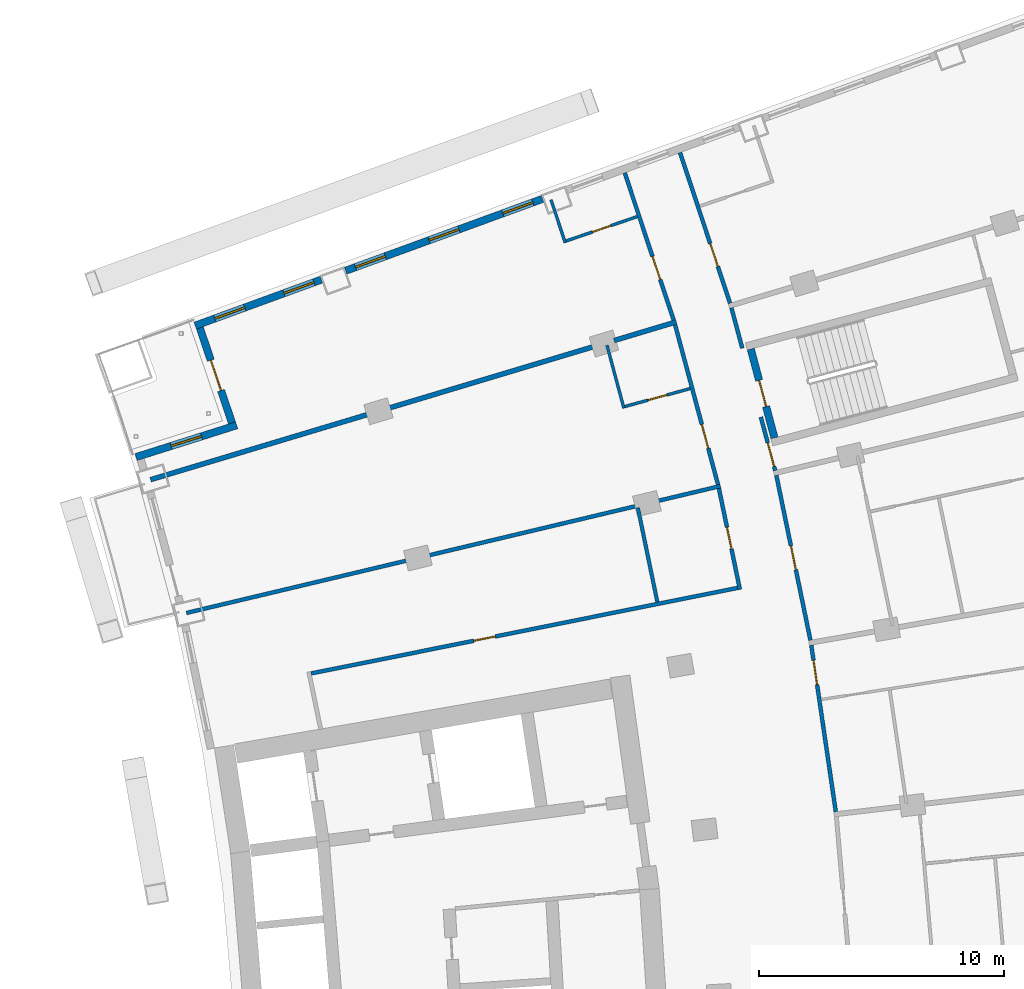
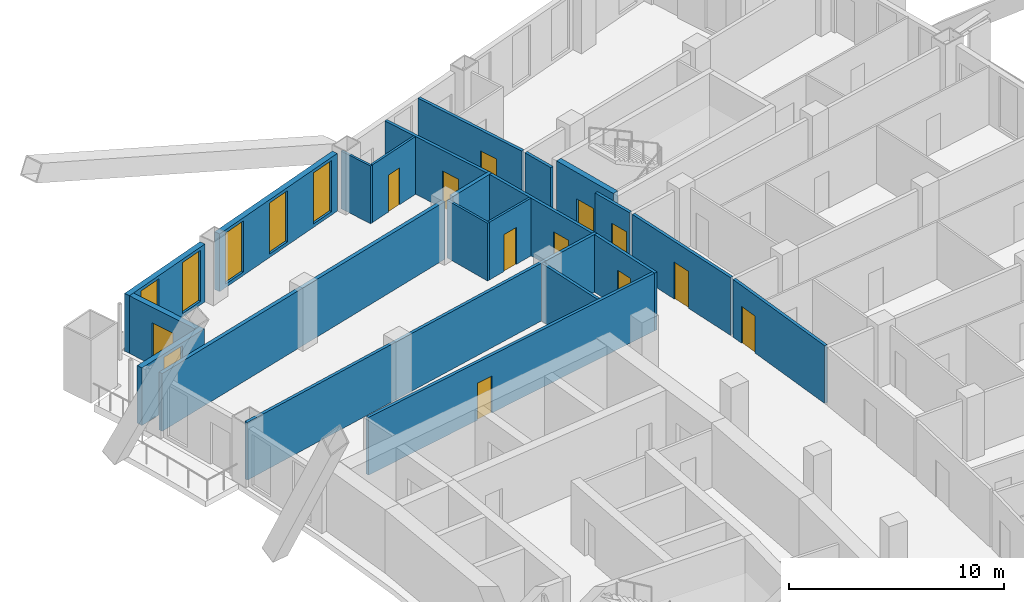
# One storey, part 19 of 25: 22 walls, 12 doors, 6 windows, 18 openings.
"""IFC4 building model written with IfcOpenShell, lengths in metres."""

import ifcopenshell
import ifcopenshell.guid

model = None  # the IFC model being written
_history = None  # IfcOwnerHistory: only IFC2X3 demands one
_inside = {}  # id of a spatial element -> (the spatial element, [elements in it])
_under = {}  # id of a project, library or spatial element -> (it, [spatial elements below it])
_declared = {}  # id of a project -> (the project, [libraries it declares])
_typed = {}  # id of a type object -> (the type object, [elements of that type])
_made_of = {}  # id of a material, layer set ... -> (it, [elements and type objects made of it])


def new_model(schema):
    """Start an empty IFC model of exactly this schema.

    Asked for "IFC4X3", IfcOpenShell would pick the latest addendum, in which some entities
    have other attributes; the version numbers below select the first issue.
    IFC2X3 requires an IfcOwnerHistory on every rooted entity: one is made here for all.
    """
    global model, _history
    if schema == "IFC4X3":
        model = ifcopenshell.file(schema_version=(4, 3, 0, 0))
    else:
        model = ifcopenshell.file(schema=schema)
    _inside.clear()
    _under.clear()
    _declared.clear()
    _typed.clear()
    _made_of.clear()
    _history = None
    if model.schema == "IFC2X3":
        org = make("IfcOrganization", Name="unknown")
        user = make(
            "IfcPersonAndOrganization",
            ThePerson=make("IfcPerson", FamilyName="unknown"),
            TheOrganization=org,
        )
        app = make(
            "IfcApplication",
            ApplicationDeveloper=org,
            Version="unknown",
            ApplicationFullName="unknown",
            ApplicationIdentifier="unknown",
        )
        _history = make(
            "IfcOwnerHistory",
            OwningUser=user,
            OwningApplication=app,
            ChangeAction="ADDED",
            CreationDate=0,
        )
    return model


def make(cls, **values):
    """One entity of the class cls with the attributes given. An attribute that is None is left unset."""
    return model.create_entity(
        cls, **{name: value for name, value in values.items() if value is not None}
    )


def rooted(cls, **values):
    """An entity with a GlobalId (a new one), such as an element, a storey or a relation."""
    return make(cls, GlobalId=ifcopenshell.guid.new(), OwnerHistory=_history, **values)


def si_unit(unit_type, name, prefix=None):
    """IfcSIUnit, for example si_unit("LENGTHUNIT", "METRE", prefix="MILLI")."""
    return make("IfcSIUnit", UnitType=unit_type, Prefix=prefix, Name=name)


def assignment(units):
    """IfcUnitAssignment: the units of a project."""
    return None if units is None else make("IfcUnitAssignment", Units=units)


def point(xyz):
    """IfcCartesianPoint."""
    return None if xyz is None else make("IfcCartesianPoint", Coordinates=xyz)


def direction(xyz):
    """IfcDirection."""
    return None if xyz is None else make("IfcDirection", DirectionRatios=xyz)


def frame(location, z_axis=None, x_axis=None):
    """IfcAxis2Placement3D, a coordinate frame: its origin and axes. An axis left out is left unset."""
    return make(
        "IfcAxis2Placement3D",
        Location=point(location),
        Axis=direction(z_axis),
        RefDirection=direction(x_axis),
    )


def frame_2d(location, x_axis=None):
    """IfcAxis2Placement2D, a coordinate frame in the plane: its origin and x axis."""
    return make(
        "IfcAxis2Placement2D", Location=point(location), RefDirection=direction(x_axis)
    )


def origin():
    """The frame at (0, 0, 0) with its axes left unset."""
    return frame((0.0, 0.0, 0.0))


def place(relative_to, where):
    """IfcLocalPlacement: puts the frame where relative to a parent placement (None: the world)."""
    return make(
        "IfcLocalPlacement", PlacementRelTo=relative_to, RelativePlacement=where
    )


def context(
    kind, dimensions, precision=None, world=None, true_north=None, identifier=None
):
    """IfcGeometricRepresentationContext, for example the 3D "Model" context."""
    return make(
        "IfcGeometricRepresentationContext",
        ContextIdentifier=identifier,
        ContextType=kind,
        CoordinateSpaceDimension=dimensions,
        Precision=precision,
        WorldCoordinateSystem=world,
        TrueNorth=true_north,
    )


def subcontext(parent, identifier, kind, view, scale=None):
    """IfcGeometricRepresentationSubContext, for example "Body" below "Model"."""
    return make(
        "IfcGeometricRepresentationSubContext",
        ContextIdentifier=identifier,
        ContextType=kind,
        ParentContext=parent,
        TargetScale=scale,
        TargetView=view,
    )


def project(units=None, contexts=None):
    """IfcProject with its units and contexts."""
    return rooted(
        "IfcProject",
        Name="project",
        RepresentationContexts=contexts,
        UnitsInContext=assignment(units),
    )


def spatial(cls, under=None, at=None, **own):
    """A site, building, storey or space (cls), placed at a placement, below another one or the project."""
    s = rooted(cls, ObjectPlacement=at, **own)
    if under is not None:
        _under.setdefault(under.id(), (under, []))[1].append(s)
    return s


def profile(cls, at=None, kind="AREA", **sizes):
    """A parametric profile (cls). Its sizes go by their IFC names, for example OverallWidth=200.0."""
    return make(cls, ProfileType=kind, Position=at, **sizes)


def rectangle(**sizes):
    """IfcRectangleProfileDef."""
    return profile("IfcRectangleProfileDef", **sizes)


def extrude(swept, where, along, depth):
    """IfcExtrudedAreaSolid: the profile swept, set in the frame where, extruded along a direction by depth."""
    return make(
        "IfcExtrudedAreaSolid",
        SweptArea=swept,
        Position=where,
        ExtrudedDirection=direction(along),
        Depth=depth,
    )


def shape(context_of_items, identifier, shape_type, items):
    """IfcShapeRepresentation: the items that make up one representation, for example the "Body"."""
    return make(
        "IfcShapeRepresentation",
        ContextOfItems=context_of_items,
        RepresentationIdentifier=identifier,
        RepresentationType=shape_type,
        Items=items,
    )


def material(Name=None, Category=None):
    """IfcMaterial."""
    return make("IfcMaterial", Name=Name, Category=Category)


def layer(
    of_material, thickness, ventilated=None, Name=None, Category=None, Priority=None
):
    """IfcMaterialLayer: one layer of a wall or slab, of a material (None: an air gap)."""
    return make(
        "IfcMaterialLayer",
        Material=of_material,
        LayerThickness=thickness,
        IsVentilated=ventilated,
        Name=Name,
        Category=Category,
        Priority=Priority,
    )


def layer_set(layers, Name=None):
    """IfcMaterialLayerSet."""
    return make("IfcMaterialLayerSet", MaterialLayers=layers, LayerSetName=Name)


def made_of(thing, what):
    """Note that an element or type object is made of a material, layer set ...; save() writes the relation."""
    if what is not None:
        _made_of.setdefault(what.id(), (what, []))[1].append(thing)
    return thing


def type_object(cls, material=None, **own):
    """A type object (cls), such as IfcWallType, which elements share."""
    return made_of(rooted(cls, **own), material)


def element(
    cls,
    number,
    at=None,
    inside=None,
    cuts=None,
    type_object=None,
    material=None,
    context=None,
    identifier="Body",
    shape_type=None,
    held_by="IfcProductDefinitionShape",
    body=None,
    shapes=None,
    **own,
):
    """One element of the class cls, such as IfcWall. Its Tag is "e" and its number.

    at: its placement. inside: the storey or other place that contains it. cuts: it is an
    opening in that element (IfcRelVoidsElement). A single representation is given by context,
    identifier, shape_type and body (its items); several are given by shapes. held_by: the class
    of the entity that holds the representations. save() writes the other relations.
    """
    e = rooted(cls, Tag="e%d" % number, ObjectPlacement=at, **own)
    if body is not None:
        shapes = [shape(context, identifier, shape_type, body)]
    if shapes is not None:
        e.Representation = make(held_by, Representations=shapes)
    if inside is not None:
        _inside.setdefault(inside.id(), (inside, []))[1].append(e)
    if cuts is not None:
        rooted(
            "IfcRelVoidsElement", RelatingBuildingElement=cuts, RelatedOpeningElement=e
        )
    if type_object is not None:
        _typed.setdefault(type_object.id(), (type_object, []))[1].append(e)
    return made_of(e, material)


def fill(opening, filler):
    """IfcRelFillsElement: the door or window that sits in an opening."""
    return rooted(
        "IfcRelFillsElement",
        RelatingOpeningElement=opening,
        RelatedBuildingElement=filler,
    )


def aggregate(whole, parts):
    """IfcRelAggregates: a whole, such as a stair, and the parts it consists of."""
    return rooted("IfcRelAggregates", RelatingObject=whole, RelatedObjects=parts)


def save(model, path):
    """Write the relations noted so far, then the file.

    IfcRelAggregates (storeys below a building ...), IfcRelContainedInSpatialStructure (elements
    in a storey), IfcRelDefinesByType, IfcRelAssociatesMaterial and IfcRelDeclares: one each for
    every whole, place, type object, material and project.
    """
    for whole, parts in _under.values():
        aggregate(whole, parts)
    for where, things in _inside.values():
        rooted(
            "IfcRelContainedInSpatialStructure",
            RelatedElements=things,
            RelatingStructure=where,
        )
    for kind, things in _typed.values():
        rooted("IfcRelDefinesByType", RelatedObjects=things, RelatingType=kind)
    for what, things in _made_of.values():
        rooted("IfcRelAssociatesMaterial", RelatedObjects=things, RelatingMaterial=what)
    for by, libraries in _declared.values():
        rooted("IfcRelDeclares", RelatingContext=by, RelatedDefinitions=libraries)
    model.write(path)


model = new_model("IFC4")

# Units and contexts
model_context = context("Model", 3, precision=1e-05, world=origin(), true_north=direction((0.0, 1.0)))
body_context = subcontext(model_context, "Body", "Model", "MODEL_VIEW")
ifc_project = project(units=[si_unit("LENGTHUNIT", "METRE"), si_unit("AREAUNIT", "SQUARE_METRE"), si_unit("VOLUMEUNIT", "CUBIC_METRE"), si_unit("PLANEANGLEUNIT", "RADIAN"), si_unit("MASSUNIT", "GRAM", prefix="KILO")], contexts=[model_context])

# Site, building, storey
site_placement = place(None, origin())
site = spatial("IfcSite", under=ifc_project, at=site_placement, CompositionType="ELEMENT")
building_placement = place(site_placement, origin())
building = spatial("IfcBuilding", under=site, at=building_placement, Name="Alderwake Tower", CompositionType="ELEMENT")
storey_placement = place(building_placement, frame((0.0, 0.0, 93.199951171875)))
storey = spatial("IfcBuildingStorey", under=building, at=storey_placement, Name="L22", CompositionType="ELEMENT", Elevation=93.199951171875)

# Wall, opening, door
ifc_material_1 = material(Name="Concrete C70/85", Category="concrete")
ifc_layer_1 = layer(ifc_material_1, 0.300048828125)
ifc_layer_set_1 = layer_set([ifc_layer_1], Name="Core wall stair enclosure 300 C70-85")
wall_type_1 = type_object("IfcWallType", Name="Core wall stair enclosure 300 C70-85", PredefinedType="SHEAR", material=ifc_layer_set_1)
wall_1_placement = place(storey_placement, frame((37.8603515625, 90.452392578125, 0.0), z_axis=(0.0, 0.0, 1.0), x_axis=(-0.257411420208, 0.966301899381, 0.0)))
wall_1 = element("IfcWall", 1, at=wall_1_placement, inside=storey, type_object=wall_type_1, Name="Core wall CW.083", PredefinedType="SHEAR", context=body_context, shape_type="SweptSolid", body=[
    extrude(rectangle(XDim=3.750244140625, YDim=0.300048828125, at=frame_2d((1.875, 0.0))), origin(), (0.0, 0.0, 1.0), 3.60009765625),
])
opening_1_placement = place(wall_1_placement, frame((1.324951171875, 0.0, 0.0)))
opening_1 = element("IfcOpeningElement", 2, at=opening_1_placement, cuts=wall_1, Name="Opening C062", PredefinedType="OPENING", context=body_context, shape_type="SweptSolid", body=[
    extrude(rectangle(XDim=1.10009765625, YDim=2.10009765625, at=frame_2d((0.550048828125, 1.050048828125))), frame((0.0, 0.159912109375, 0.0), z_axis=(0.0, -1.0, 0.0), x_axis=(1.0, 0.0, 0.0)), (0.0, 0.0, 1.0), 0.320068359375),
])
ifc_material_2 = material(Name="Steel-framed fire door leaf", Category="steel")
door_type_1 = type_object("IfcDoorType", Name="Core stair door 1100 fire-rated", OperationType="SINGLE_SWING_LEFT", PredefinedType="DOOR", material=ifc_material_2)
door_1_placement = place(opening_1_placement, origin())
door_1 = element("IfcDoor", 3, at=door_1_placement, inside=storey, type_object=door_type_1, Name="Stair door", OperationType="SINGLE_SWING_RIGHT", OverallHeight=2.10009765625, OverallWidth=1.10009765625, PredefinedType="DOOR", context=body_context, shape_type="SweptSolid", body=[
    extrude(rectangle(XDim=1.10009765625, YDim=2.10009765625, at=frame_2d((0.550048828125, 1.050048828125))), frame((0.0, 0.02490234375, 0.0), z_axis=(0.0, -1.0, 0.0), x_axis=(1.0, 0.0, 0.0)), (0.0, 0.0, 1.0), 0.050048828125),
])
fill(opening_1, door_1)

# Wall
ifc_material_3 = material(Name="Gypsum board on metal studs, rated")
ifc_layer_2 = layer(ifc_material_3, 0.159912109375)
ifc_layer_set_2 = layer_set([ifc_layer_2], Name="Corridor wall 160")
wall_type_2 = type_object("IfcWallType", Name="Corridor wall 160", PredefinedType="PARTITIONING", material=ifc_layer_set_2)
wall_2_placement = place(storey_placement, frame((13.884033203125, 83.31298828125, 0.0), z_axis=(0.0, 0.0, 1.0), x_axis=(0.972893462073, 0.231253781493, 0.0)))
element("IfcWall", 4, at=wall_2_placement, inside=storey, type_object=wall_type_2, Name="WL/L22/W19", PredefinedType="PARTITIONING", context=body_context, shape_type="SweptSolid", body=[
    extrude(rectangle(XDim=22.38037109375, YDim=0.159912109375, at=frame_2d((11.190185546875, 0.0))), origin(), (0.0, 0.0, 1.0), 3.280029296875),
])

# Wall, opening, door
wall_3_placement = place(storey_placement, frame((33.75146484375, 95.2548828125, 0.0), z_axis=(0.0, 0.0, 1.0), x_axis=(-0.315406156735, 0.948956772616, 0.0)))
wall_3 = element("IfcWall", 5, at=wall_3_placement, inside=storey, type_object=wall_type_2, Name="WL/L22/W23", PredefinedType="PARTITIONING", context=body_context, shape_type="SweptSolid", body=[
    extrude(rectangle(XDim=6.330078125, YDim=0.159912109375, at=frame_2d((3.1650390625, 0.0))), origin(), (0.0, 0.0, 1.0), 3.280029296875),
])
opening_2_placement = place(wall_3_placement, frame((1.737060546875, 0.0, 0.0)))
opening_2 = element("IfcOpeningElement", 6, at=opening_2_placement, cuts=wall_3, Name="Opening R06-U15.1", PredefinedType="OPENING", context=body_context, shape_type="SweptSolid", body=[
    extrude(rectangle(XDim=1.0, YDim=2.10009765625, at=frame_2d((0.5, 1.050048828125))), frame((0.0, 0.08984375, 0.0), z_axis=(0.0, -1.0, 0.0), x_axis=(1.0, 0.0, 0.0)), (0.0, 0.0, 1.0), 0.179931640625),
])
ifc_material_4 = material(Name="Solid timber leaf in steel frame", Category="steel")
door_type_2 = type_object("IfcDoorType", Name="Flat entrance door 1000 fire-rated", OperationType="SINGLE_SWING_LEFT", PredefinedType="DOOR", material=ifc_material_4)
door_2_placement = place(opening_2_placement, origin())
door_2 = element("IfcDoor", 7, at=door_2_placement, inside=storey, type_object=door_type_2, Name="DR/L22/U15.1", OperationType="SINGLE_SWING_LEFT", OverallHeight=2.10009765625, OverallWidth=1.0, PredefinedType="DOOR", context=body_context, shape_type="SweptSolid", body=[
    extrude(rectangle(XDim=1.0, YDim=2.10009765625, at=frame_2d((0.5, 1.050048828125))), frame((0.0, 0.02490234375, 0.0), z_axis=(0.0, -1.0, 0.0), x_axis=(1.0, 0.0, 0.0)), (0.0, 0.0, 1.0), 0.050048828125),
])
fill(opening_2, door_2)

wall_4_placement = place(storey_placement, frame((35.55908203125, 88.54736328125, 0.0), z_axis=(0.0, 0.0, 1.0), x_axis=(-0.259373900693, 0.965776982351, 0.0)))
wall_4 = element("IfcWall", 8, at=wall_4_placement, inside=storey, type_object=wall_type_2, Name="WL/L22/W26", PredefinedType="PARTITIONING", context=body_context, shape_type="SweptSolid", body=[
    extrude(rectangle(XDim=6.7470703125, YDim=0.159912109375, at=frame_2d((3.37353515625, 0.0))), origin(), (0.0, 0.0, 1.0), 3.280029296875),
])
opening_3_placement = place(wall_4_placement, frame((1.5380859375, 0.0, 0.0)))
opening_3 = element("IfcOpeningElement", 9, at=opening_3_placement, cuts=wall_4, Name="Opening R06-U14.1", PredefinedType="OPENING", context=body_context, shape_type="SweptSolid", body=[
    extrude(rectangle(XDim=1.0, YDim=2.10009765625, at=frame_2d((0.5, 1.050048828125))), frame((0.0, 0.08984375, 0.0), z_axis=(0.0, -1.0, 0.0), x_axis=(1.0, 0.0, 0.0)), (0.0, 0.0, 1.0), 0.179931640625),
])
door_3_placement = place(opening_3_placement, origin())
door_3 = element("IfcDoor", 10, at=door_3_placement, inside=storey, type_object=door_type_2, Name="DR/L22/U14.1", OperationType="SINGLE_SWING_LEFT", OverallHeight=2.10009765625, OverallWidth=1.0, PredefinedType="DOOR", context=body_context, shape_type="SweptSolid", body=[
    extrude(rectangle(XDim=1.0, YDim=2.10009765625, at=frame_2d((0.5, 1.050048828125))), frame((0.0, 0.02490234375, 0.0), z_axis=(0.0, -1.0, 0.0), x_axis=(1.0, 0.0, 0.0)), (0.0, 0.0, 1.0), 0.050048828125),
])
fill(opening_3, door_3)

wall_5_placement = place(storey_placement, frame((36.451416015625, 84.272705078125, 0.0), z_axis=(0.0, 0.0, 1.0), x_axis=(-0.20329833965, 0.979116839348, 0.0)))
wall_5 = element("IfcWall", 11, at=wall_5_placement, inside=storey, type_object=wall_type_2, Name="WL/L22/W28", PredefinedType="PARTITIONING", context=body_context, shape_type="SweptSolid", body=[
    extrude(rectangle(XDim=4.206787109375, YDim=0.159912109375, at=frame_2d((2.103515625, 0.0))), origin(), (0.0, 0.0, 1.0), 3.280029296875),
])
opening_4_placement = place(wall_5_placement, frame((1.69287109375, 0.0, 0.0)))
opening_4 = element("IfcOpeningElement", 12, at=opening_4_placement, cuts=wall_5, Name="Opening R06-SBN2", PredefinedType="OPENING", context=body_context, shape_type="SweptSolid", body=[
    extrude(rectangle(XDim=0.89990234375, YDim=2.10009765625, at=frame_2d((0.449951171875, 1.050048828125))), frame((0.0, 0.08984375, 0.0), z_axis=(0.0, -1.0, 0.0), x_axis=(1.0, 0.0, 0.0)), (0.0, 0.0, 1.0), 0.179931640625),
])
ifc_material_5 = material(Name="Painted timber leaf", Category="wood")
door_type_3 = type_object("IfcDoorType", Name="Room door 900", OperationType="SINGLE_SWING_LEFT", PredefinedType="DOOR", material=ifc_material_5)
door_4_placement = place(opening_4_placement, origin())
door_4 = element("IfcDoor", 13, at=door_4_placement, inside=storey, type_object=door_type_3, Name="DR/L22/SBN2", OperationType="SINGLE_SWING_LEFT", OverallHeight=2.10009765625, OverallWidth=0.89990234375, PredefinedType="DOOR", context=body_context, shape_type="SweptSolid", body=[
    extrude(rectangle(XDim=0.89990234375, YDim=2.10009765625, at=frame_2d((0.449951171875, 1.050048828125))), frame((0.0, 0.02490234375, 0.0), z_axis=(0.0, -1.0, 0.0), x_axis=(1.0, 0.0, 0.0)), (0.0, 0.0, 1.0), 0.050048828125),
])
fill(opening_4, door_4)

wall_6_placement = place(storey_placement, frame((34.010986328125, 102.083984375, 0.0), z_axis=(0.0, 0.0, 1.0), x_axis=(0.315140606423, -0.949044992708, 0.0)))
wall_6 = element("IfcWall", 14, at=wall_6_placement, inside=storey, type_object=wall_type_2, Name="WL/L22/W30", PredefinedType="PARTITIONING", context=body_context, shape_type="SweptSolid", body=[
    extrude(rectangle(XDim=6.46875, YDim=0.159912109375, at=frame_2d((3.234375, 0.0))), origin(), (0.0, 0.0, 1.0), 3.280029296875),
])
opening_5_placement = place(wall_6_placement, frame((3.897705078125, 0.0, 0.0)))
opening_5 = element("IfcOpeningElement", 15, at=opening_5_placement, cuts=wall_6, Name="Opening R06-U04.1", PredefinedType="OPENING", context=body_context, shape_type="SweptSolid", body=[
    extrude(rectangle(XDim=1.0, YDim=2.10009765625, at=frame_2d((0.5, 1.050048828125))), frame((0.0, 0.08984375, 0.0), z_axis=(0.0, -1.0, 0.0), x_axis=(1.0, 0.0, 0.0)), (0.0, 0.0, 1.0), 0.179931640625),
])
door_5_placement = place(opening_5_placement, origin())
door_5 = element("IfcDoor", 16, at=door_5_placement, inside=storey, type_object=door_type_2, Name="DR/L22/U04.1", OperationType="SINGLE_SWING_LEFT", OverallHeight=2.10009765625, OverallWidth=1.0, PredefinedType="DOOR", context=body_context, shape_type="SweptSolid", body=[
    extrude(rectangle(XDim=1.0, YDim=2.10009765625, at=frame_2d((0.5, 1.050048828125))), frame((0.0, 0.02490234375, 0.0), z_axis=(0.0, -1.0, 0.0), x_axis=(1.0, 0.0, 0.0)), (0.0, 0.0, 1.0), 0.050048828125),
])
fill(opening_5, door_5)

wall_7_placement = place(storey_placement, frame((18.969482421875, 80.84765625, 0.0), z_axis=(0.0, 0.0, 1.0), x_axis=(0.980470914622, 0.196664144112, 0.0)))
wall_7 = element("IfcWall", 17, at=wall_7_placement, inside=storey, type_object=wall_type_2, Name="WL/L22/W32", PredefinedType="PARTITIONING", context=body_context, shape_type="SweptSolid", body=[
    extrude(rectangle(XDim=17.733642578125, YDim=0.159912109375, at=frame_2d((8.86669921875, 0.0))), origin(), (0.0, 0.0, 1.0), 3.280029296875),
])
opening_6_placement = place(wall_7_placement, frame((6.756591796875, 0.0, 0.0)))
opening_6 = element("IfcOpeningElement", 18, at=opening_6_placement, cuts=wall_7, Name="Opening R06-SBN1", PredefinedType="OPENING", context=body_context, shape_type="SweptSolid", body=[
    extrude(rectangle(XDim=0.89990234375, YDim=2.10009765625, at=frame_2d((0.449951171875, 1.050048828125))), frame((0.0, 0.08984375, 0.0), z_axis=(0.0, -1.0, 0.0), x_axis=(1.0, 0.0, 0.0)), (0.0, 0.0, 1.0), 0.179931640625),
])
door_6_placement = place(opening_6_placement, origin())
door_6 = element("IfcDoor", 19, at=door_6_placement, inside=storey, type_object=door_type_3, Name="DR/L22/SBN1", OperationType="SINGLE_SWING_LEFT", OverallHeight=2.10009765625, OverallWidth=0.89990234375, PredefinedType="DOOR", context=body_context, shape_type="SweptSolid", body=[
    extrude(rectangle(XDim=0.89990234375, YDim=2.10009765625, at=frame_2d((0.449951171875, 1.050048828125))), frame((0.0, 0.02490234375, 0.0), z_axis=(0.0, -1.0, 0.0), x_axis=(1.0, 0.0, 0.0)), (0.0, 0.0, 1.0), 0.050048828125),
])
fill(opening_6, door_6)

# Wall
wall_8_placement = place(storey_placement, frame((36.549072265625, 94.110107421875, 0.0), z_axis=(0.0, 0.0, 1.0), x_axis=(-0.259813977097, 0.965658685719, 0.0)))
element("IfcWall", 20, at=wall_8_placement, inside=storey, type_object=wall_type_2, Name="WL/L22/W33", PredefinedType="PARTITIONING", context=body_context, shape_type="SweptSolid", body=[
    extrude(rectangle(XDim=1.70166015625, YDim=0.159912109375, at=frame_2d((0.850830078125, 0.0))), origin(), (0.0, 0.0, 1.0), 3.280029296875),
])

# Wall, opening, door
wall_9_placement = place(storey_placement, frame((37.304931640625, 91.299072265625, 0.0), z_axis=(0.0, 0.0, 1.0), x_axis=(0.259946294884, -0.965623075416, 0.0)))
wall_9 = element("IfcWall", 21, at=wall_9_placement, inside=storey, type_object=wall_type_2, Name="WL/L22/W36", PredefinedType="PARTITIONING", context=body_context, shape_type="SweptSolid", body=[
    extrude(rectangle(XDim=2.255126953125, YDim=0.159912109375, at=frame_2d((1.12744140625, 0.0))), origin(), (0.0, 0.0, 1.0), 3.280029296875),
])
opening_7_placement = place(wall_9_placement, frame((1.083984375, 0.0, 0.0)))
opening_7 = element("IfcOpeningElement", 22, at=opening_7_placement, cuts=wall_9, Name="Opening R06-U02.1", PredefinedType="OPENING", context=body_context, shape_type="SweptSolid", body=[
    extrude(rectangle(XDim=1.0, YDim=2.10009765625, at=frame_2d((0.5, 1.050048828125))), frame((0.0, 0.08984375, 0.0), z_axis=(0.0, -1.0, 0.0), x_axis=(1.0, 0.0, 0.0)), (0.0, 0.0, 1.0), 0.179931640625),
])
door_7_placement = place(opening_7_placement, origin())
door_7 = element("IfcDoor", 23, at=door_7_placement, inside=storey, type_object=door_type_2, Name="DR/L22/U02.1", OperationType="SINGLE_SWING_LEFT", OverallHeight=2.10009765625, OverallWidth=1.0, PredefinedType="DOOR", context=body_context, shape_type="SweptSolid", body=[
    extrude(rectangle(XDim=1.0, YDim=2.10009765625, at=frame_2d((0.5, 1.050048828125))), frame((0.0, 0.02490234375, 0.0), z_axis=(0.0, -1.0, 0.0), x_axis=(1.0, 0.0, 0.0)), (0.0, 0.0, 1.0), 0.050048828125),
])
fill(opening_7, door_7)

wall_10_placement = place(storey_placement, frame((37.937255859375, 88.927001953125, 0.0), z_axis=(0.0, 0.0, 1.0), x_axis=(0.20241288737, -0.979300272147, 0.0)))
wall_10 = element("IfcWall", 24, at=wall_10_placement, inside=storey, type_object=wall_type_2, Name="WL/L22/W38", PredefinedType="PARTITIONING", context=body_context, shape_type="SweptSolid", body=[
    extrude(rectangle(XDim=6.870361328125, YDim=0.159912109375, at=frame_2d((3.43505859375, 0.0))), origin(), (0.0, 0.0, 1.0), 3.280029296875),
])
opening_8_placement = place(wall_10_placement, frame((2.93505859375, 0.0, 0.0)))
opening_8 = element("IfcOpeningElement", 25, at=opening_8_placement, cuts=wall_10, Name="Opening R06-U11.2", PredefinedType="OPENING", context=body_context, shape_type="SweptSolid", body=[
    extrude(rectangle(XDim=1.0, YDim=2.10009765625, at=frame_2d((0.5, 1.050048828125))), frame((0.0, 0.08984375, 0.0), z_axis=(0.0, -1.0, 0.0), x_axis=(1.0, 0.0, 0.0)), (0.0, 0.0, 1.0), 0.179931640625),
])
door_8_placement = place(opening_8_placement, origin())
door_8 = element("IfcDoor", 26, at=door_8_placement, inside=storey, type_object=door_type_2, Name="DR/L22/U11.2", OperationType="SINGLE_SWING_LEFT", OverallHeight=2.10009765625, OverallWidth=1.0, PredefinedType="DOOR", context=body_context, shape_type="SweptSolid", body=[
    extrude(rectangle(XDim=1.0, YDim=2.10009765625, at=frame_2d((0.5, 1.050048828125))), frame((0.0, 0.02490234375, 0.0), z_axis=(0.0, -1.0, 0.0), x_axis=(1.0, 0.0, 0.0)), (0.0, 0.0, 1.0), 0.050048828125),
])
fill(opening_8, door_8)

wall_11_placement = place(storey_placement, frame((39.362548828125, 82.001953125, 0.0), z_axis=(0.0, 0.0, 1.0), x_axis=(0.145565626222, -0.98934859805, 0.0)))
wall_11 = element("IfcWall", 27, at=wall_11_placement, inside=storey, type_object=wall_type_2, Name="WL/L22/W39", PredefinedType="PARTITIONING", context=body_context, shape_type="SweptSolid", body=[
    extrude(rectangle(XDim=6.8681640625, YDim=0.159912109375, at=frame_2d((3.43408203125, 0.0))), origin(), (0.0, 0.0, 1.0), 3.280029296875),
])
opening_9_placement = place(wall_11_placement, frame((0.627685546875, 0.0, 0.0)))
opening_9 = element("IfcOpeningElement", 28, at=opening_9_placement, cuts=wall_11, Name="Opening R06-U10.2", PredefinedType="OPENING", context=body_context, shape_type="SweptSolid", body=[
    extrude(rectangle(XDim=1.0, YDim=2.10009765625, at=frame_2d((0.5, 1.050048828125))), frame((0.0, 0.08984375, 0.0), z_axis=(0.0, -1.0, 0.0), x_axis=(1.0, 0.0, 0.0)), (0.0, 0.0, 1.0), 0.179931640625),
])
door_9_placement = place(opening_9_placement, origin())
door_9 = element("IfcDoor", 29, at=door_9_placement, inside=storey, type_object=door_type_2, Name="DR/L22/U10.2", OperationType="SINGLE_SWING_LEFT", OverallHeight=2.10009765625, OverallWidth=1.0, PredefinedType="DOOR", context=body_context, shape_type="SweptSolid", body=[
    extrude(rectangle(XDim=1.0, YDim=2.10009765625, at=frame_2d((0.5, 1.050048828125))), frame((0.0, 0.02490234375, 0.0), z_axis=(0.0, -1.0, 0.0), x_axis=(1.0, 0.0, 0.0)), (0.0, 0.0, 1.0), 0.050048828125),
])
fill(opening_9, door_9)

# Wall, openings, windows
ifc_material_6 = material(Name="Bronze metal cladding on lightweight framing")
ifc_layer_3 = layer(ifc_material_6, 0.300048828125)
ifc_layer_set_3 = layer_set([ifc_layer_3], Name="External wall EW2 bronze metal cladding")
wall_type_3 = type_object("IfcWallType", Name="External wall EW2 bronze metal cladding", PredefinedType="SOLIDWALL", material=ifc_layer_set_3)
wall_12_placement = place(storey_placement, frame((28.402587890625, 100.197509765625, 0.0), z_axis=(0.0, 0.0, 1.0), x_axis=(-0.939364770023, -0.342919566137, 0.0)))
wall_12 = element("IfcWall", 30, at=wall_12_placement, inside=storey, type_object=wall_type_3, Name="External wall 28", PredefinedType="SOLIDWALL", context=body_context, shape_type="SweptSolid", body=[
    extrude(rectangle(XDim=8.54541015625, YDim=0.300048828125, at=frame_2d((4.272705078125, 0.0))), origin(), (0.0, 0.0, 1.0), 3.280029296875),
])
opening_10_placement = place(wall_12_placement, frame((0.4228515625, 0.0, 0.199951171875)))
opening_10 = element("IfcOpeningElement", 31, at=opening_10_placement, cuts=wall_12, Name="Opening W1", PredefinedType="OPENING", context=body_context, shape_type="SweptSolid", body=[
    extrude(rectangle(XDim=1.300048828125, YDim=2.89990234375, at=frame_2d((0.64990234375, 1.449951171875))), frame((0.0, 0.159912109375, 0.0), z_axis=(0.0, -1.0, 0.0), x_axis=(1.0, 0.0, 0.0)), (0.0, 0.0, 1.0), 0.320068359375),
])
opening_11_placement = place(wall_12_placement, frame((3.622802734375, 0.0, 0.199951171875)))
opening_11 = element("IfcOpeningElement", 32, at=opening_11_placement, cuts=wall_12, Name="Opening W1", PredefinedType="OPENING", context=body_context, shape_type="SweptSolid", body=[
    extrude(rectangle(XDim=1.300048828125, YDim=2.89990234375, at=frame_2d((0.64990234375, 1.449951171875))), frame((0.0, 0.159912109375, 0.0), z_axis=(0.0, -1.0, 0.0), x_axis=(1.0, 0.0, 0.0)), (0.0, 0.0, 1.0), 0.320068359375),
])
opening_12_placement = place(wall_12_placement, frame((6.822998046875, 0.0, 0.199951171875)))
opening_12 = element("IfcOpeningElement", 33, at=opening_12_placement, cuts=wall_12, Name="Opening W1", PredefinedType="OPENING", context=body_context, shape_type="SweptSolid", body=[
    extrude(rectangle(XDim=1.300048828125, YDim=2.89990234375, at=frame_2d((0.64990234375, 1.449951171875))), frame((0.0, 0.159912109375, 0.0), z_axis=(0.0, -1.0, 0.0), x_axis=(1.0, 0.0, 0.0)), (0.0, 0.0, 1.0), 0.320068359375),
])
ifc_material_7 = material(Name="Bronze tinted glass in aluminium frame", Category="aluminium")
window_type = type_object("IfcWindowType", Name="Window W1 tall fixed and vent", PartitioningType="DOUBLE_PANEL_VERTICAL", PredefinedType="WINDOW", material=ifc_material_7)
window_1_placement = place(opening_10_placement, origin())
window_1 = element("IfcWindow", 34, at=window_1_placement, inside=storey, type_object=window_type, Name="Window W1 tall fixed and vent", OverallHeight=2.89990234375, OverallWidth=1.300048828125, PartitioningType="DOUBLE_PANEL_VERTICAL", PredefinedType="WINDOW", context=body_context, shape_type="SweptSolid", body=[
    extrude(rectangle(XDim=1.300048828125, YDim=2.89990234375, at=frame_2d((0.64990234375, 1.449951171875))), frame((0.0, 0.030029296875, 0.0), z_axis=(0.0, -1.0, 0.0), x_axis=(1.0, 0.0, 0.0)), (0.0, 0.0, 1.0), 0.06005859375),
])
fill(opening_10, window_1)
window_2_placement = place(opening_11_placement, origin())
window_2 = element("IfcWindow", 35, at=window_2_placement, inside=storey, type_object=window_type, Name="Window W1 tall fixed and vent", OverallHeight=2.89990234375, OverallWidth=1.300048828125, PartitioningType="DOUBLE_PANEL_VERTICAL", PredefinedType="WINDOW", context=body_context, shape_type="SweptSolid", body=[
    extrude(rectangle(XDim=1.300048828125, YDim=2.89990234375, at=frame_2d((0.64990234375, 1.449951171875))), frame((0.0, 0.030029296875, 0.0), z_axis=(0.0, -1.0, 0.0), x_axis=(1.0, 0.0, 0.0)), (0.0, 0.0, 1.0), 0.06005859375),
])
fill(opening_11, window_2)
window_3_placement = place(opening_12_placement, origin())
window_3 = element("IfcWindow", 36, at=window_3_placement, inside=storey, type_object=window_type, Name="Window W1 tall fixed and vent", OverallHeight=2.89990234375, OverallWidth=1.300048828125, PartitioningType="DOUBLE_PANEL_VERTICAL", PredefinedType="WINDOW", context=body_context, shape_type="SweptSolid", body=[
    extrude(rectangle(XDim=1.300048828125, YDim=2.89990234375, at=frame_2d((0.64990234375, 1.449951171875))), frame((0.0, 0.030029296875, 0.0), z_axis=(0.0, -1.0, 0.0), x_axis=(1.0, 0.0, 0.0)), (0.0, 0.0, 1.0), 0.06005859375),
])
fill(opening_12, window_3)

wall_13_placement = place(storey_placement, frame((19.38427734375, 96.905517578125, 0.0), z_axis=(0.0, 0.0, 1.0), x_axis=(-0.939366897407, -0.342913738506, 0.0)))
wall_13 = element("IfcWall", 37, at=wall_13_placement, inside=storey, type_object=wall_type_3, Name="External wall 29", PredefinedType="SOLIDWALL", context=body_context, shape_type="SweptSolid", body=[
    extrude(rectangle(XDim=5.474365234375, YDim=0.300048828125, at=frame_2d((2.7373046875, 0.0))), origin(), (0.0, 0.0, 1.0), 3.280029296875),
])
opening_13_placement = place(wall_13_placement, frame((0.322998046875, 0.0, 0.199951171875)))
opening_13 = element("IfcOpeningElement", 38, at=opening_13_placement, cuts=wall_13, Name="Opening W1", PredefinedType="OPENING", context=body_context, shape_type="SweptSolid", body=[
    extrude(rectangle(XDim=1.300048828125, YDim=2.89990234375, at=frame_2d((0.64990234375, 1.449951171875))), frame((0.0, 0.159912109375, 0.0), z_axis=(0.0, -1.0, 0.0), x_axis=(1.0, 0.0, 0.0)), (0.0, 0.0, 1.0), 0.320068359375),
])
opening_14_placement = place(wall_13_placement, frame((3.32373046875, 0.0, 0.199951171875)))
opening_14 = element("IfcOpeningElement", 39, at=opening_14_placement, cuts=wall_13, Name="Opening W1", PredefinedType="OPENING", context=body_context, shape_type="SweptSolid", body=[
    extrude(rectangle(XDim=1.300048828125, YDim=2.89990234375, at=frame_2d((0.64990234375, 1.449951171875))), frame((0.0, 0.159912109375, 0.0), z_axis=(0.0, -1.0, 0.0), x_axis=(1.0, 0.0, 0.0)), (0.0, 0.0, 1.0), 0.320068359375),
])
window_4_placement = place(opening_13_placement, origin())
window_4 = element("IfcWindow", 40, at=window_4_placement, inside=storey, type_object=window_type, Name="Window W1 tall fixed and vent", OverallHeight=2.89990234375, OverallWidth=1.300048828125, PartitioningType="DOUBLE_PANEL_VERTICAL", PredefinedType="WINDOW", context=body_context, shape_type="SweptSolid", body=[
    extrude(rectangle(XDim=1.300048828125, YDim=2.89990234375, at=frame_2d((0.64990234375, 1.449951171875))), frame((0.0, 0.030029296875, 0.0), z_axis=(0.0, -1.0, 0.0), x_axis=(1.0, 0.0, 0.0)), (0.0, 0.0, 1.0), 0.06005859375),
])
fill(opening_13, window_4)
window_5_placement = place(opening_14_placement, origin())
window_5 = element("IfcWindow", 41, at=window_5_placement, inside=storey, type_object=window_type, Name="Window W1 tall fixed and vent", OverallHeight=2.89990234375, OverallWidth=1.300048828125, PartitioningType="DOUBLE_PANEL_VERTICAL", PredefinedType="WINDOW", context=body_context, shape_type="SweptSolid", body=[
    extrude(rectangle(XDim=1.300048828125, YDim=2.89990234375, at=frame_2d((0.64990234375, 1.449951171875))), frame((0.0, 0.030029296875, 0.0), z_axis=(0.0, -1.0, 0.0), x_axis=(1.0, 0.0, 0.0)), (0.0, 0.0, 1.0), 0.06005859375),
])
fill(opening_14, window_5)

# Wall, opening, door
wall_14_placement = place(storey_placement, frame((14.430908203125, 94.937744140625, 0.0), z_axis=(0.0, 0.0, 1.0), x_axis=(0.320379458656, -0.947289291859, 0.0)))
wall_14 = element("IfcWall", 42, at=wall_14_placement, inside=storey, type_object=wall_type_3, Name="External wall 30", PredefinedType="SOLIDWALL", context=body_context, shape_type="SweptSolid", body=[
    extrude(rectangle(XDim=4.08984375, YDim=0.300048828125, at=frame_2d((2.044921875, 0.0))), origin(), (0.0, 0.0, 1.0), 3.280029296875),
])
opening_15_placement = place(wall_14_placement, frame((1.39501953125, 0.0, 0.0)))
opening_15 = element("IfcOpeningElement", 43, at=opening_15_placement, cuts=wall_14, Name="Opening D13", PredefinedType="OPENING", context=body_context, shape_type="SweptSolid", body=[
    extrude(rectangle(XDim=1.300048828125, YDim=2.39990234375, at=frame_2d((0.64990234375, 1.199951171875))), frame((0.0, 0.159912109375, 0.0), z_axis=(0.0, -1.0, 0.0), x_axis=(1.0, 0.0, 0.0)), (0.0, 0.0, 1.0), 0.320068359375),
])
ifc_material_8 = material(Name="Bronze tinted glass in aluminium frame", Category="aluminium")
door_type_4 = type_object("IfcDoorType", Name="Balcony door BD sliding", OperationType="SLIDING_TO_LEFT", PredefinedType="DOOR", material=ifc_material_8)
door_10_placement = place(opening_15_placement, origin())
door_10 = element("IfcDoor", 44, at=door_10_placement, inside=storey, type_object=door_type_4, Name="Door D13", OperationType="SLIDING_TO_LEFT", OverallHeight=2.39990234375, OverallWidth=1.300048828125, PredefinedType="DOOR", context=body_context, shape_type="SweptSolid", body=[
    extrude(rectangle(XDim=1.300048828125, YDim=2.39990234375, at=frame_2d((0.64990234375, 1.199951171875))), frame((0.0, 0.02490234375, 0.0), z_axis=(0.0, -1.0, 0.0), x_axis=(1.0, 0.0, 0.0)), (0.0, 0.0, 1.0), 0.050048828125),
])
fill(opening_15, door_10)

# Wall, opening, window
wall_15_placement = place(storey_placement, frame((15.932373046875, 90.966552734375, 0.0), z_axis=(0.0, 0.0, 1.0), x_axis=(-0.953473772386, -0.301475978103, 0.0)))
wall_15 = element("IfcWall", 45, at=wall_15_placement, inside=storey, type_object=wall_type_3, Name="External wall 31", PredefinedType="SOLIDWALL", context=body_context, shape_type="SweptSolid", body=[
    extrude(rectangle(XDim=4.305908203125, YDim=0.300048828125, at=frame_2d((2.15283203125, 0.0))), origin(), (0.0, 0.0, 1.0), 3.280029296875),
])
opening_16_placement = place(wall_15_placement, frame((1.5029296875, 0.0, 0.199951171875)))
opening_16 = element("IfcOpeningElement", 46, at=opening_16_placement, cuts=wall_15, Name="Opening W1", PredefinedType="OPENING", context=body_context, shape_type="SweptSolid", body=[
    extrude(rectangle(XDim=1.300048828125, YDim=2.89990234375, at=frame_2d((0.64990234375, 1.449951171875))), frame((0.0, 0.159912109375, 0.0), z_axis=(0.0, -1.0, 0.0), x_axis=(1.0, 0.0, 0.0)), (0.0, 0.0, 1.0), 0.320068359375),
])
window_6_placement = place(opening_16_placement, origin())
window_6 = element("IfcWindow", 47, at=window_6_placement, inside=storey, type_object=window_type, Name="Window W1 tall fixed and vent", OverallHeight=2.89990234375, OverallWidth=1.300048828125, PartitioningType="DOUBLE_PANEL_VERTICAL", PredefinedType="WINDOW", context=body_context, shape_type="SweptSolid", body=[
    extrude(rectangle(XDim=1.300048828125, YDim=2.89990234375, at=frame_2d((0.64990234375, 1.449951171875))), frame((0.0, 0.030029296875, 0.0), z_axis=(0.0, -1.0, 0.0), x_axis=(1.0, 0.0, 0.0)), (0.0, 0.0, 1.0), 0.06005859375),
])
fill(opening_16, window_6)

# Walls
ifc_material_9 = material(Name="Dense block masonry wall", Category="masonry")
ifc_layer_4 = layer(ifc_material_9, 0.199951171875)
ifc_layer_set_4 = layer_set([ifc_layer_4], Name="Party wall 200")
wall_type_4 = type_object("IfcWallType", Name="Party wall 200", PredefinedType="SOLIDWALL", material=ifc_layer_set_4)
wall_16_placement = place(storey_placement, frame((30.812744140625, 94.270751953125, 0.0), z_axis=(0.0, 0.0, 1.0), x_axis=(-0.957756965565, -0.287578849904, 0.0)))
element("IfcWall", 48, at=wall_16_placement, inside=storey, type_object=wall_type_4, Name="WL/L22/W01", PredefinedType="SOLIDWALL", context=body_context, shape_type="SweptSolid", body=[
    extrude(rectangle(XDim=19.20068359375, YDim=0.199951171875, at=frame_2d((9.600341796875, 0.0))), origin(), (0.0, 0.0, 1.0), 3.280029296875),
])
wall_17_placement = place(storey_placement, frame((33.859619140625, 95.18310546875, 0.0), z_axis=(0.0, 0.0, 1.0), x_axis=(-0.957762803886, -0.287559405153, 0.0)))
element("IfcWall", 49, at=wall_17_placement, inside=storey, type_object=wall_type_4, Name="WL/L22/W04", PredefinedType="SOLIDWALL", context=body_context, shape_type="SweptSolid", body=[
    extrude(rectangle(XDim=2.647216796875, YDim=0.199951171875, at=frame_2d((1.32373046875, 0.0))), origin(), (0.0, 0.0, 1.0), 3.280029296875),
])
ifc_material_10 = material(Name="Gypsum shaft wall system, rated")
ifc_layer_5 = layer(ifc_material_10, 0.14990234375)
ifc_layer_set_5 = layer_set([ifc_layer_5], Name="Riser and shaft wall 150")
wall_type_5 = type_object("IfcWallType", Name="Riser and shaft wall 150", PredefinedType="PARTITIONING", material=ifc_layer_set_5)
wall_18_placement = place(storey_placement, frame((33.085693359375, 83.76025390625, 0.0), z_axis=(0.0, 0.0, 1.0), x_axis=(-0.2025562632, 0.97927062666, 0.0)))
element("IfcWall", 50, at=wall_18_placement, inside=storey, type_object=wall_type_5, Name="WL/L22/W15", PredefinedType="PARTITIONING", context=body_context, shape_type="SweptSolid", body=[
    extrude(rectangle(XDim=3.9267578125, YDim=0.14990234375, at=frame_2d((1.96337890625, 0.0))), origin(), (0.0, 0.0, 1.0), 3.280029296875),
])
ifc_material_11 = material(Name="Moisture resistant gypsum board on metal studs")
ifc_layer_6 = layer(ifc_material_11, 0.1201171875)
ifc_layer_set_6 = layer_set([ifc_layer_6], Name="Wet room partition 120")
wall_type_6 = type_object("IfcWallType", Name="Wet room partition 120", PredefinedType="PARTITIONING", material=ifc_layer_set_6)
wall_19_placement = place(storey_placement, frame((28.7490234375, 100.1640625, 0.0), z_axis=(0.0, 0.0, 1.0), x_axis=(0.314645530733, -0.949209244577, 0.0)))
element("IfcWall", 51, at=wall_19_placement, inside=storey, type_object=wall_type_6, Name="WL/L22/W46", PredefinedType="PARTITIONING", context=body_context, shape_type="SweptSolid", body=[
    extrude(rectangle(XDim=1.85205078125, YDim=0.1201171875, at=frame_2d((0.926025390625, 0.0))), origin(), (0.0, 0.0, 1.0), 3.280029296875),
])

# Wall, opening, door
wall_20_placement = place(storey_placement, frame((29.369873046875, 98.482421875, 0.0), z_axis=(0.0, 0.0, 1.0), x_axis=(0.945919367523, 0.324401834375, 0.0)))
wall_20 = element("IfcWall", 52, at=wall_20_placement, inside=storey, type_object=wall_type_6, Name="WL/L22/W47", PredefinedType="PARTITIONING", context=body_context, shape_type="SweptSolid", body=[
    extrude(rectangle(XDim=3.06005859375, YDim=0.1201171875, at=frame_2d((1.530029296875, 0.0))), origin(), (0.0, 0.0, 1.0), 3.280029296875),
])
opening_17_placement = place(wall_20_placement, frame((1.1298828125, 0.0, 0.0)))
opening_17 = element("IfcOpeningElement", 53, at=opening_17_placement, cuts=wall_20, Name="Opening R06-U15.2", PredefinedType="OPENING", context=body_context, shape_type="SweptSolid", body=[
    extrude(rectangle(XDim=0.800048828125, YDim=2.10009765625, at=frame_2d((0.39990234375, 1.050048828125))), frame((0.0, 0.070068359375, 0.0), z_axis=(0.0, -1.0, 0.0), x_axis=(1.0, 0.0, 0.0)), (0.0, 0.0, 1.0), 0.14013671875),
])
ifc_material_12 = material(Name="Painted timber leaf", Category="wood")
door_type_5 = type_object("IfcDoorType", Name="Bathroom door 800", OperationType="SINGLE_SWING_LEFT", PredefinedType="DOOR", material=ifc_material_12)
door_11_placement = place(opening_17_placement, origin())
door_11 = element("IfcDoor", 54, at=door_11_placement, inside=storey, type_object=door_type_5, Name="DR/L22/U15.2", OperationType="SINGLE_SWING_LEFT", OverallHeight=2.10009765625, OverallWidth=0.800048828125, PredefinedType="DOOR", context=body_context, shape_type="SweptSolid", body=[
    extrude(rectangle(XDim=0.800048828125, YDim=2.10009765625, at=frame_2d((0.39990234375, 1.050048828125))), frame((0.0, 0.02490234375, 0.0), z_axis=(0.0, -1.0, 0.0), x_axis=(1.0, 0.0, 0.0)), (0.0, 0.0, 1.0), 0.050048828125),
])
fill(opening_17, door_11)

# Wall
wall_21_placement = place(storey_placement, frame((31.031005859375, 94.2294921875, 0.0), z_axis=(0.0, 0.0, 1.0), x_axis=(0.259756447242, -0.965674162498, 0.0)))
element("IfcWall", 55, at=wall_21_placement, inside=storey, type_object=wall_type_6, Name="WL/L22/W49", PredefinedType="PARTITIONING", context=body_context, shape_type="SweptSolid", body=[
    extrude(rectangle(XDim=2.66259765625, YDim=0.1201171875, at=frame_2d((1.331298828125, 0.0))), origin(), (0.0, 0.0, 1.0), 3.280029296875),
])

# Wall, opening, door
wall_22_placement = place(storey_placement, frame((31.764892578125, 91.73193359375, 0.0), z_axis=(0.0, 0.0, 1.0), x_axis=(0.964278304966, 0.264891205163, 0.0)))
wall_22 = element("IfcWall", 56, at=wall_22_placement, inside=storey, type_object=wall_type_6, Name="WL/L22/W50", PredefinedType="PARTITIONING", context=body_context, shape_type="SweptSolid", body=[
    extrude(rectangle(XDim=2.759521484375, YDim=0.1201171875, at=frame_2d((1.3798828125, 0.0))), origin(), (0.0, 0.0, 1.0), 3.280029296875),
])
opening_18_placement = place(wall_22_placement, frame((0.979736328125, 0.0, 0.0)))
opening_18 = element("IfcOpeningElement", 57, at=opening_18_placement, cuts=wall_22, Name="Opening R06-U14.2", PredefinedType="OPENING", context=body_context, shape_type="SweptSolid", body=[
    extrude(rectangle(XDim=0.800048828125, YDim=2.10009765625, at=frame_2d((0.39990234375, 1.050048828125))), frame((0.0, 0.070068359375, 0.0), z_axis=(0.0, -1.0, 0.0), x_axis=(1.0, 0.0, 0.0)), (0.0, 0.0, 1.0), 0.14013671875),
])
door_12_placement = place(opening_18_placement, origin())
door_12 = element("IfcDoor", 58, at=door_12_placement, inside=storey, type_object=door_type_5, Name="DR/L22/U14.2", OperationType="SINGLE_SWING_LEFT", OverallHeight=2.10009765625, OverallWidth=0.800048828125, PredefinedType="DOOR", context=body_context, shape_type="SweptSolid", body=[
    extrude(rectangle(XDim=0.800048828125, YDim=2.10009765625, at=frame_2d((0.39990234375, 1.050048828125))), frame((0.0, 0.02490234375, 0.0), z_axis=(0.0, -1.0, 0.0), x_axis=(1.0, 0.0, 0.0)), (0.0, 0.0, 1.0), 0.050048828125),
])
fill(opening_18, door_12)

save(model, "model.ifc")
